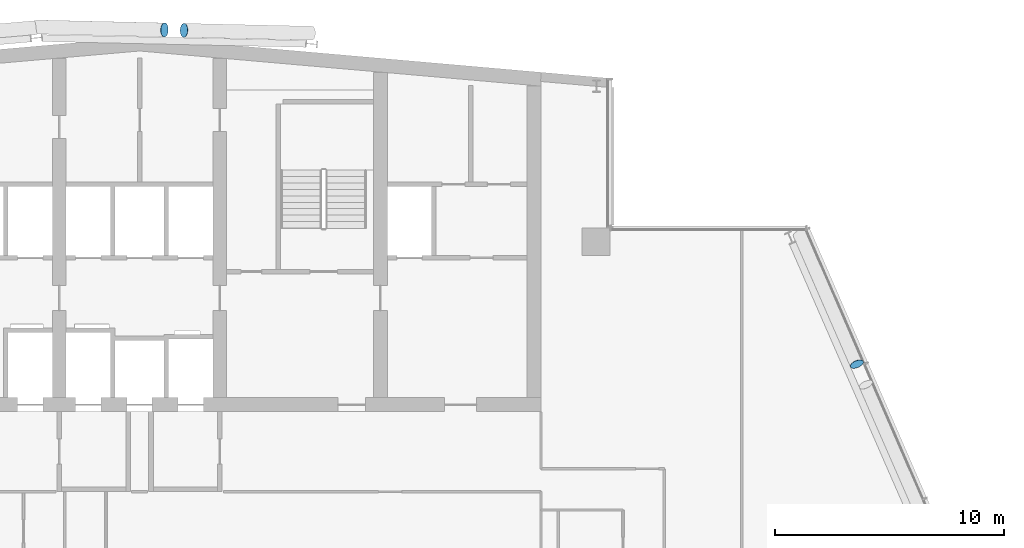
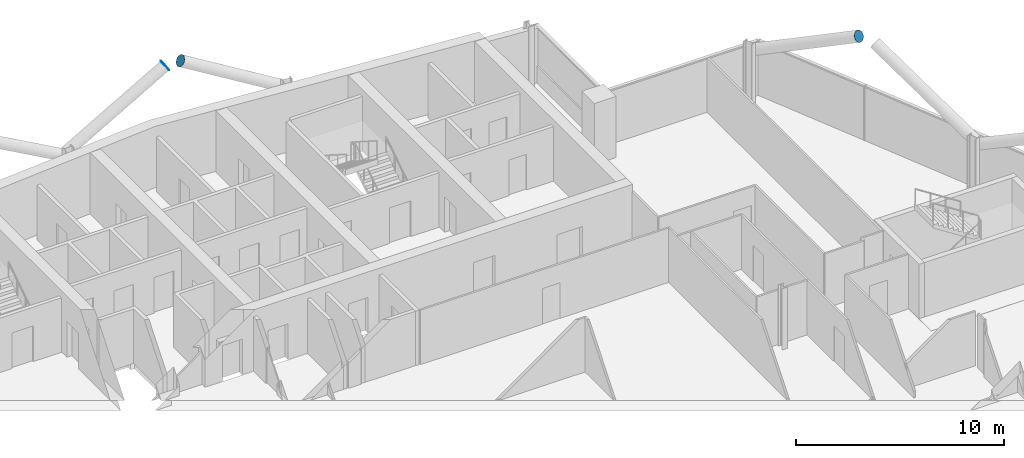
# One storey, part 22 of 25: 3 discrete accessories.
"""IFC4 building model written with IfcOpenShell, lengths in metres."""

from ifc_helpers import new_model, si_unit, direction, frame, origin, origin_2d, place, context, subcontext, project, spatial, circle, extrude, material, material_profile, profile_set, type_object, element, save


model = new_model("IFC4")

# Units and contexts
model_context = context("Model", 3, precision=1e-05, world=origin(), true_north=direction((0.0, 1.0)))
body_context = subcontext(model_context, "Body", "Model", "MODEL_VIEW")
ifc_project = project(units=[si_unit("LENGTHUNIT", "METRE"), si_unit("AREAUNIT", "SQUARE_METRE"), si_unit("VOLUMEUNIT", "CUBIC_METRE"), si_unit("PLANEANGLEUNIT", "RADIAN"), si_unit("MASSUNIT", "GRAM", prefix="KILO")], contexts=[model_context])

# Site, building, storey
site_placement = place(None, origin())
site = spatial("IfcSite", under=ifc_project, at=site_placement, CompositionType="ELEMENT")
building_placement = place(site_placement, origin())
building = spatial("IfcBuilding", under=site, at=building_placement, Name="Wharfspan Tower", CompositionType="ELEMENT")
storey_placement = place(building_placement, frame((0.0, 0.0, 225.100098)))
storey = spatial("IfcBuildingStorey", under=building, at=storey_placement, Name="L56", CompositionType="ELEMENT", Elevation=225.100098)

# Discrete accessories
ifc_material = material(Name="Steel S460NH", Category="steel")
ifc_material_profile = material_profile(ifc_material, circle(Radius=0.304932, at=origin_2d()))
ifc_profile_set = profile_set([ifc_material_profile], Name="Steel S460NH")
discrete_accessory_type = type_object("IfcDiscreteAccessoryType", Name="End plate CHS 610x25", PredefinedType="BRACKET", material=ifc_profile_set)
for number, where, z_axis, x_axis, name in (
    (1, (71.769775, 36.06958, 6.233154), (0.341058, -0.803922, 0.487226), (0.920584, 0.390551, 0.0), "End plate CHS 610x25"),
    (2, (41.577881, 50.636475, 6.240234), (0.846389, -0.024183, 0.532016), (0.028561, 0.999594, -1e-06), "End plate CHS 610x25"),
    (3, (42.442871, 50.616699, 6.240234), (-0.846389, 0.024183, 0.532016), (-0.028561, -0.999594, -1e-06), "End plate CHS 610x25"),
):
    element("IfcDiscreteAccessory", number, at=place(storey_placement, frame(where, z_axis=z_axis, x_axis=x_axis)), inside=storey, type_object=discrete_accessory_type, Name=name, PredefinedType="BRACKET", context=body_context, shape_type="SweptSolid", body=[
        extrude(circle(Radius=0.304932, at=origin_2d()), origin(), (0.0, 0.0, 1.0), 0.01001),
    ])

save(model, "model.ifc")
